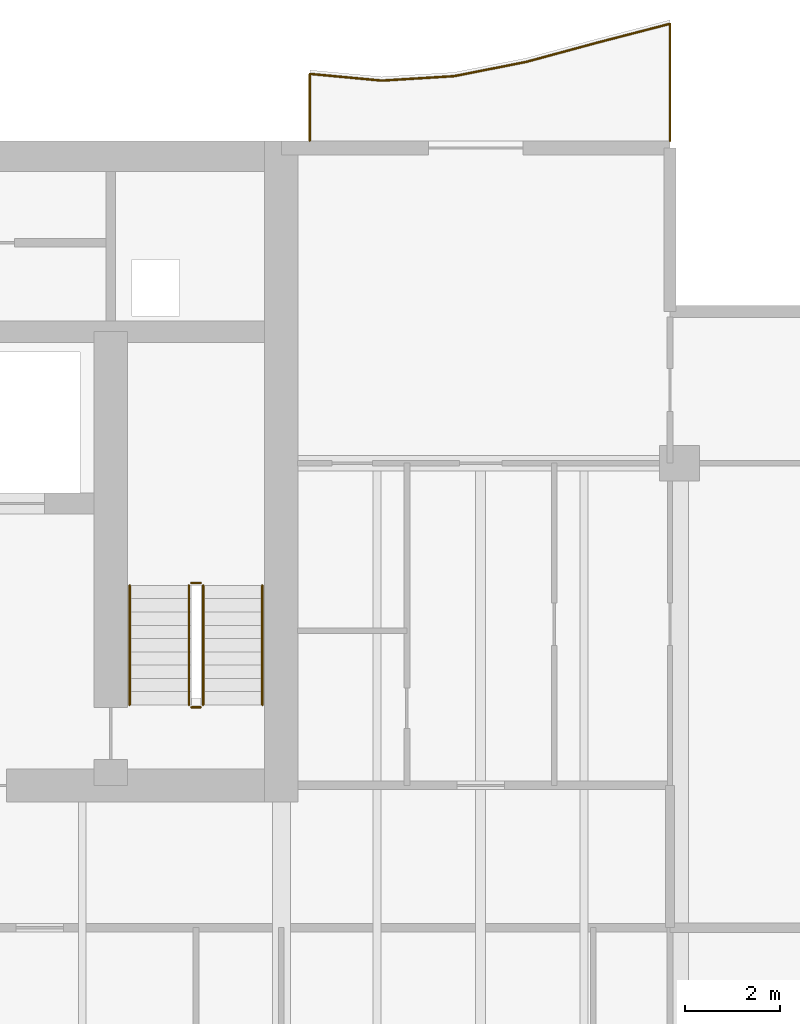
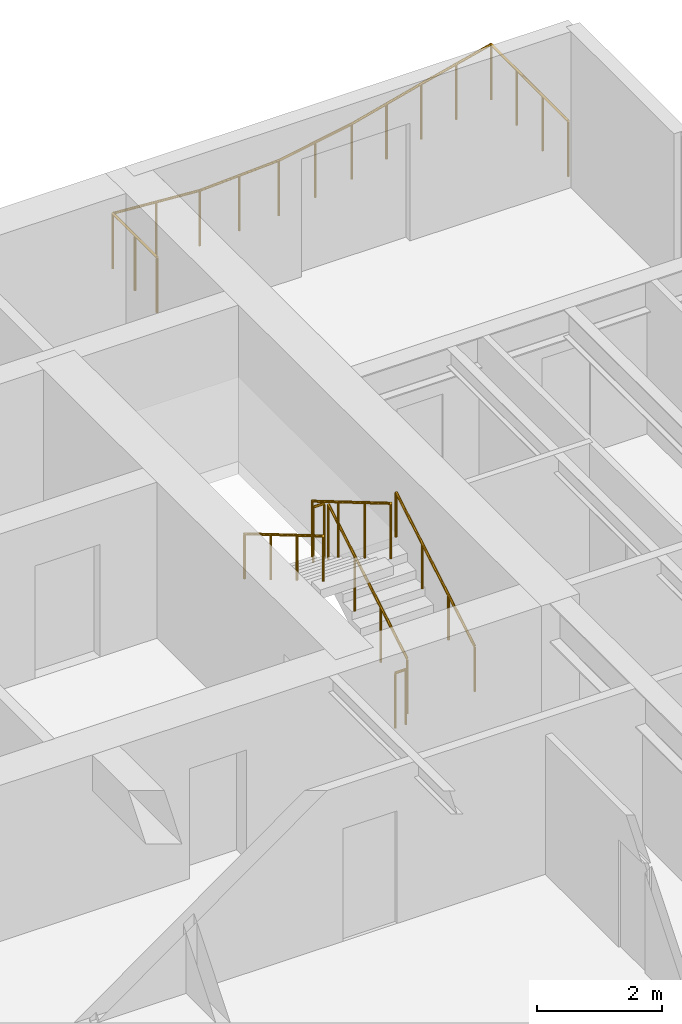
# One storey, part 16 of 17: 7 railings.
"""IFC4 building model written with IfcOpenShell, lengths in metres."""

import ifcopenshell
import ifcopenshell.guid

model = None  # the IFC model being written
_history = None  # IfcOwnerHistory: only IFC2X3 demands one
_inside = {}  # id of a spatial element -> (the spatial element, [elements in it])
_under = {}  # id of a project, library or spatial element -> (it, [spatial elements below it])
_declared = {}  # id of a project -> (the project, [libraries it declares])
_typed = {}  # id of a type object -> (the type object, [elements of that type])
_made_of = {}  # id of a material, layer set ... -> (it, [elements and type objects made of it])


def new_model(schema):
    """Start an empty IFC model of exactly this schema.

    Asked for "IFC4X3", IfcOpenShell would pick the latest addendum, in which some entities
    have other attributes; the version numbers below select the first issue.
    IFC2X3 requires an IfcOwnerHistory on every rooted entity: one is made here for all.
    """
    global model, _history
    if schema == "IFC4X3":
        model = ifcopenshell.file(schema_version=(4, 3, 0, 0))
    else:
        model = ifcopenshell.file(schema=schema)
    _inside.clear()
    _under.clear()
    _declared.clear()
    _typed.clear()
    _made_of.clear()
    _history = None
    if model.schema == "IFC2X3":
        org = make("IfcOrganization", Name="unknown")
        user = make(
            "IfcPersonAndOrganization",
            ThePerson=make("IfcPerson", FamilyName="unknown"),
            TheOrganization=org,
        )
        app = make(
            "IfcApplication",
            ApplicationDeveloper=org,
            Version="unknown",
            ApplicationFullName="unknown",
            ApplicationIdentifier="unknown",
        )
        _history = make(
            "IfcOwnerHistory",
            OwningUser=user,
            OwningApplication=app,
            ChangeAction="ADDED",
            CreationDate=0,
        )
    return model


def make(cls, **values):
    """One entity of the class cls with the attributes given. An attribute that is None is left unset."""
    return model.create_entity(
        cls, **{name: value for name, value in values.items() if value is not None}
    )


def rooted(cls, **values):
    """An entity with a GlobalId (a new one), such as an element, a storey or a relation."""
    return make(cls, GlobalId=ifcopenshell.guid.new(), OwnerHistory=_history, **values)


def si_unit(unit_type, name, prefix=None):
    """IfcSIUnit, for example si_unit("LENGTHUNIT", "METRE", prefix="MILLI")."""
    return make("IfcSIUnit", UnitType=unit_type, Prefix=prefix, Name=name)


def assignment(units):
    """IfcUnitAssignment: the units of a project."""
    return None if units is None else make("IfcUnitAssignment", Units=units)


def point(xyz):
    """IfcCartesianPoint."""
    return None if xyz is None else make("IfcCartesianPoint", Coordinates=xyz)


def direction(xyz):
    """IfcDirection."""
    return None if xyz is None else make("IfcDirection", DirectionRatios=xyz)


def frame(location, z_axis=None, x_axis=None):
    """IfcAxis2Placement3D, a coordinate frame: its origin and axes. An axis left out is left unset."""
    return make(
        "IfcAxis2Placement3D",
        Location=point(location),
        Axis=direction(z_axis),
        RefDirection=direction(x_axis),
    )


def frame_2d(location, x_axis=None):
    """IfcAxis2Placement2D, a coordinate frame in the plane: its origin and x axis."""
    return make(
        "IfcAxis2Placement2D", Location=point(location), RefDirection=direction(x_axis)
    )


def origin():
    """The frame at (0, 0, 0) with its axes left unset."""
    return frame((0.0, 0.0, 0.0))


def origin_2d():
    """The frame at (0, 0) in the plane with its x axis left unset."""
    return frame_2d((0.0, 0.0))


def place(relative_to, where):
    """IfcLocalPlacement: puts the frame where relative to a parent placement (None: the world)."""
    return make(
        "IfcLocalPlacement", PlacementRelTo=relative_to, RelativePlacement=where
    )


def context(
    kind, dimensions, precision=None, world=None, true_north=None, identifier=None
):
    """IfcGeometricRepresentationContext, for example the 3D "Model" context."""
    return make(
        "IfcGeometricRepresentationContext",
        ContextIdentifier=identifier,
        ContextType=kind,
        CoordinateSpaceDimension=dimensions,
        Precision=precision,
        WorldCoordinateSystem=world,
        TrueNorth=true_north,
    )


def subcontext(parent, identifier, kind, view, scale=None):
    """IfcGeometricRepresentationSubContext, for example "Body" below "Model"."""
    return make(
        "IfcGeometricRepresentationSubContext",
        ContextIdentifier=identifier,
        ContextType=kind,
        ParentContext=parent,
        TargetScale=scale,
        TargetView=view,
    )


def project(units=None, contexts=None):
    """IfcProject with its units and contexts."""
    return rooted(
        "IfcProject",
        Name="project",
        RepresentationContexts=contexts,
        UnitsInContext=assignment(units),
    )


def spatial(cls, under=None, at=None, **own):
    """A site, building, storey or space (cls), placed at a placement, below another one or the project."""
    s = rooted(cls, ObjectPlacement=at, **own)
    if under is not None:
        _under.setdefault(under.id(), (under, []))[1].append(s)
    return s


def profile(cls, at=None, kind="AREA", **sizes):
    """A parametric profile (cls). Its sizes go by their IFC names, for example OverallWidth=200.0."""
    return make(cls, ProfileType=kind, Position=at, **sizes)


def circle(**sizes):
    """IfcCircleProfileDef."""
    return profile("IfcCircleProfileDef", **sizes)


def extrude(swept, where, along, depth):
    """IfcExtrudedAreaSolid: the profile swept, set in the frame where, extruded along a direction by depth."""
    return make(
        "IfcExtrudedAreaSolid",
        SweptArea=swept,
        Position=where,
        ExtrudedDirection=direction(along),
        Depth=depth,
    )


def shape(context_of_items, identifier, shape_type, items):
    """IfcShapeRepresentation: the items that make up one representation, for example the "Body"."""
    return make(
        "IfcShapeRepresentation",
        ContextOfItems=context_of_items,
        RepresentationIdentifier=identifier,
        RepresentationType=shape_type,
        Items=items,
    )


def material(Name=None, Category=None):
    """IfcMaterial."""
    return make("IfcMaterial", Name=Name, Category=Category)


def made_of(thing, what):
    """Note that an element or type object is made of a material, layer set ...; save() writes the relation."""
    if what is not None:
        _made_of.setdefault(what.id(), (what, []))[1].append(thing)
    return thing


def type_object(cls, material=None, **own):
    """A type object (cls), such as IfcWallType, which elements share."""
    return made_of(rooted(cls, **own), material)


def element(
    cls,
    number,
    at=None,
    inside=None,
    cuts=None,
    type_object=None,
    material=None,
    context=None,
    identifier="Body",
    shape_type=None,
    held_by="IfcProductDefinitionShape",
    body=None,
    shapes=None,
    **own,
):
    """One element of the class cls, such as IfcWall. Its Tag is "e" and its number.

    at: its placement. inside: the storey or other place that contains it. cuts: it is an
    opening in that element (IfcRelVoidsElement). A single representation is given by context,
    identifier, shape_type and body (its items); several are given by shapes. held_by: the class
    of the entity that holds the representations. save() writes the other relations.
    """
    e = rooted(cls, Tag="e%d" % number, ObjectPlacement=at, **own)
    if body is not None:
        shapes = [shape(context, identifier, shape_type, body)]
    if shapes is not None:
        e.Representation = make(held_by, Representations=shapes)
    if inside is not None:
        _inside.setdefault(inside.id(), (inside, []))[1].append(e)
    if cuts is not None:
        rooted(
            "IfcRelVoidsElement", RelatingBuildingElement=cuts, RelatedOpeningElement=e
        )
    if type_object is not None:
        _typed.setdefault(type_object.id(), (type_object, []))[1].append(e)
    return made_of(e, material)


def aggregate(whole, parts):
    """IfcRelAggregates: a whole, such as a stair, and the parts it consists of."""
    return rooted("IfcRelAggregates", RelatingObject=whole, RelatedObjects=parts)


def save(model, path):
    """Write the relations noted so far, then the file.

    IfcRelAggregates (storeys below a building ...), IfcRelContainedInSpatialStructure (elements
    in a storey), IfcRelDefinesByType, IfcRelAssociatesMaterial and IfcRelDeclares: one each for
    every whole, place, type object, material and project.
    """
    for whole, parts in _under.values():
        aggregate(whole, parts)
    for where, things in _inside.values():
        rooted(
            "IfcRelContainedInSpatialStructure",
            RelatedElements=things,
            RelatingStructure=where,
        )
    for kind, things in _typed.values():
        rooted("IfcRelDefinesByType", RelatedObjects=things, RelatingType=kind)
    for what, things in _made_of.values():
        rooted("IfcRelAssociatesMaterial", RelatedObjects=things, RelatingMaterial=what)
    for by, libraries in _declared.values():
        rooted("IfcRelDeclares", RelatingContext=by, RelatedDefinitions=libraries)
    model.write(path)


model = new_model("IFC4")

# Units and contexts
model_context = context("Model", 3, precision=1e-05, world=origin(), true_north=direction((0.0, 1.0)))
body_context = subcontext(model_context, "Body", "Model", "MODEL_VIEW")
ifc_project = project(units=[si_unit("LENGTHUNIT", "METRE"), si_unit("AREAUNIT", "SQUARE_METRE"), si_unit("VOLUMEUNIT", "CUBIC_METRE"), si_unit("PLANEANGLEUNIT", "RADIAN"), si_unit("MASSUNIT", "GRAM", prefix="KILO")], contexts=[model_context])

# Site, building, storey
site_placement = place(None, origin())
site = spatial("IfcSite", under=ifc_project, at=site_placement, CompositionType="ELEMENT")
building_placement = place(site_placement, origin())
building = spatial("IfcBuilding", under=site, at=building_placement, Name="Caelmar Bay Residences", CompositionType="ELEMENT")
storey_placement = place(building_placement, frame((0.0, 0.0, 204.89990234375)))
storey = spatial("IfcBuildingStorey", under=building, at=storey_placement, Name="L57", CompositionType="ELEMENT", Elevation=204.89990234375)

# Railings
ifc_material_1 = material(Name="Anodised bronze handrail with laminated hurricane glass infill", Category="glass")
railing_type_1 = type_object("IfcRailingType", Name="RL-BAL-1100", PredefinedType="BALUSTRADE", material=ifc_material_1)
railing_1_placement = place(storey_placement, frame((67.699951171875, 50.60009765625, 0.0)))
element("IfcRailing", 1, at=railing_1_placement, inside=storey, type_object=railing_type_1, Name="L57 north_east Balcony Balustrade", PredefinedType="BALUSTRADE", context=body_context, shape_type="SweptSolid", body=[
    extrude(circle(Radius=0.02392578125, at=origin_2d()), frame((0.0, 0.0, 1.076171875), z_axis=(0.0, 1.0, 0.0), x_axis=(-1.0, 0.0, 0.0)), (0.0, 0.0, 1.0), 2.4697265625),
    extrude(circle(Radius=0.02392578125, at=origin_2d()), frame((0.0, 2.4697265625, 1.076171875), z_axis=(-0.968040251218, -0.250794880375, 0.0), x_axis=(0.250794880375, -0.968040251218, 0.0)), (0.0, 0.0, 1.0), 1.5703125),
    extrude(circle(Radius=0.02392578125, at=origin_2d()), frame((-1.52001953125, 2.075927734375, 1.076171875), z_axis=(-0.965273626461, -0.261240934884, 0.0), x_axis=(0.261240934884, -0.965273626461, 0.0)), (0.0, 0.0, 1.0), 1.57470703125),
    extrude(circle(Radius=0.02392578125, at=origin_2d()), frame((-3.0400390625, 1.66455078125, 1.076171875), z_axis=(-0.981098441437, -0.193509297476, 0.0), x_axis=(0.193509297476, -0.981098441437, 0.0)), (0.0, 0.0, 1.0), 1.54931640625),
    extrude(circle(Radius=0.02392578125, at=origin_2d()), frame((-4.56005859375, 1.36474609375, 1.076171875), z_axis=(-0.998112625987, -0.061409981647, 0.0), x_axis=(0.061409981647, -0.998112625987, 0.0)), (0.0, 0.0, 1.0), 1.522705078125),
    extrude(circle(Radius=0.02392578125, at=origin_2d()), frame((-6.079833984375, 1.271240234375, 1.076171875), z_axis=(-0.995674076689, 0.092914654442, 0.0), x_axis=(-0.092914654442, -0.995674076689, 0.0)), (0.0, 0.0, 1.0), 1.526611328125),
    extrude(circle(Radius=0.02392578125, at=origin_2d()), frame((-7.599853515625, 1.4130859375, 1.076171875), z_axis=(0.0, -1.0, 0.0), x_axis=(1.0, 0.0, 0.0)), (0.0, 0.0, 1.0), 1.4130859375),
    extrude(circle(Radius=0.02099609375, at=origin_2d()), origin(), (0.0, 0.0, 1.0), 1.052001953125),
    extrude(circle(Radius=0.02099609375, at=origin_2d()), frame((0.0, 0.8232421875, 0.0)), (0.0, 0.0, 1.0), 1.052001953125),
    extrude(circle(Radius=0.02099609375, at=origin_2d()), frame((0.0, 1.646484375, 0.0)), (0.0, 0.0, 1.0), 1.052001953125),
    extrude(circle(Radius=0.02099609375, at=origin_2d()), frame((0.0, 2.4697265625, 0.0)), (0.0, 0.0, 1.0), 1.052001953125),
    extrude(circle(Radius=0.02099609375, at=origin_2d()), frame((-0.760009765625, 2.27294921875, 0.0)), (0.0, 0.0, 1.0), 1.052001953125),
    extrude(circle(Radius=0.02099609375, at=origin_2d()), frame((-1.52001953125, 2.075927734375, 0.0)), (0.0, 0.0, 1.0), 1.052001953125),
    extrude(circle(Radius=0.02099609375, at=origin_2d()), frame((-2.280029296875, 1.8701171875, 0.0)), (0.0, 0.0, 1.0), 1.052001953125),
    extrude(circle(Radius=0.02099609375, at=origin_2d()), frame((-3.0400390625, 1.66455078125, 0.0)), (0.0, 0.0, 1.0), 1.052001953125),
    extrude(circle(Radius=0.02099609375, at=origin_2d()), frame((-3.800048828125, 1.5146484375, 0.0)), (0.0, 0.0, 1.0), 1.052001953125),
    extrude(circle(Radius=0.02099609375, at=origin_2d()), frame((-4.56005859375, 1.36474609375, 0.0)), (0.0, 0.0, 1.0), 1.052001953125),
    extrude(circle(Radius=0.02099609375, at=origin_2d()), frame((-5.31982421875, 1.31787109375, 0.0)), (0.0, 0.0, 1.0), 1.052001953125),
    extrude(circle(Radius=0.02099609375, at=origin_2d()), frame((-6.079833984375, 1.271240234375, 0.0)), (0.0, 0.0, 1.0), 1.052001953125),
    extrude(circle(Radius=0.02099609375, at=origin_2d()), frame((-6.83984375, 1.34228515625, 0.0)), (0.0, 0.0, 1.0), 1.052001953125),
    extrude(circle(Radius=0.02099609375, at=origin_2d()), frame((-7.599853515625, 1.4130859375, 0.0)), (0.0, 0.0, 1.0), 1.052001953125),
    extrude(circle(Radius=0.02099609375, at=origin_2d()), frame((-7.599853515625, 0.70654296875, 0.0)), (0.0, 0.0, 1.0), 1.052001953125),
    extrude(circle(Radius=0.02099609375, at=origin_2d()), frame((-7.599853515625, 0.0, 0.0)), (0.0, 0.0, 1.0), 1.052001953125),
])
ifc_material_2 = material(Name="Painted galvanized steel stair guard 1100 mm", Category="steel")
railing_type_2 = type_object("IfcRailingType", Name="RL-GRD-1100", PredefinedType="GUARDRAIL", material=ifc_material_2)
railing_2_placement = place(storey_placement, frame((57.85009765625, 38.699951171875, 0.1650390625)))
element("IfcRailing", 2, at=railing_2_placement, inside=storey, type_object=railing_type_2, Name="L57 ST2 stair guard 1", PredefinedType="GUARDRAIL", context=body_context, shape_type="SweptSolid", body=[
    extrude(circle(Radius=0.02392578125, at=origin_2d()), frame((0.0, 0.0, 1.076171875), z_axis=(0.0, 0.86152411907, 0.507716645641), x_axis=(-1.0, 0.0, 0.0)), (0.0, 0.0, 1.0), 2.925048828125),
    extrude(circle(Radius=0.02099609375, at=origin_2d()), origin(), (0.0, 0.0, 1.0), 1.052001953125),
    extrude(circle(Radius=0.02099609375, at=origin_2d()), frame((0.0, 0.840087890625, 0.4951171875)), (0.0, 0.0, 1.0), 1.052001953125),
    extrude(circle(Radius=0.02099609375, at=origin_2d()), frame((0.0, 1.679931640625, 0.989990234375)), (0.0, 0.0, 1.0), 1.052001953125),
    extrude(circle(Radius=0.02099609375, at=origin_2d()), frame((0.0, 2.52001953125, 1.485107421875)), (0.0, 0.0, 1.0), 1.052001953125),
])
railing_3_placement = place(storey_placement, frame((57.800048828125, 41.27001953125, 1.650146484375)))
element("IfcRailing", 3, at=railing_3_placement, inside=storey, type_object=railing_type_2, Name="L57 ST2 stair guard 2", PredefinedType="GUARDRAIL", context=body_context, shape_type="SweptSolid", body=[
    extrude(circle(Radius=0.02392578125, at=origin_2d()), frame((0.0, 0.0, 1.076171875), z_axis=(-1.0, 0.0, 0.0), x_axis=(0.0, -1.0, 0.0)), (0.0, 0.0, 1.0), 0.199951171875),
    extrude(circle(Radius=0.02099609375, at=origin_2d()), origin(), (0.0, 0.0, 1.0), 1.052001953125),
    extrude(circle(Radius=0.02099609375, at=origin_2d()), frame((-0.199951171875, 0.0, 0.0)), (0.0, 0.0, 1.0), 1.052001953125),
])
railing_4_placement = place(storey_placement, frame((57.550048828125, 41.219970703125, 1.815185546875)))
element("IfcRailing", 4, at=railing_4_placement, inside=storey, type_object=railing_type_2, Name="L57 ST2 stair guard 3", PredefinedType="GUARDRAIL", context=body_context, shape_type="SweptSolid", body=[
    extrude(circle(Radius=0.02392578125, at=origin_2d()), frame((0.0, 0.0, 1.076171875), z_axis=(0.0, -0.861560626758, 0.507654692109), x_axis=(1.0, 0.0, 0.0)), (0.0, 0.0, 1.0), 2.925048828125),
    extrude(circle(Radius=0.02099609375, at=origin_2d()), origin(), (0.0, 0.0, 1.0), 1.052001953125),
    extrude(circle(Radius=0.02099609375, at=origin_2d()), frame((0.0, -0.840087890625, 0.494873046875)), (0.0, 0.0, 1.0), 1.052001953125),
    extrude(circle(Radius=0.02099609375, at=origin_2d()), frame((0.0, -1.679931640625, 0.989990234375)), (0.0, 0.0, 1.0), 1.052001953125),
    extrude(circle(Radius=0.02099609375, at=origin_2d()), frame((0.0, -2.52001953125, 1.48486328125)), (0.0, 0.0, 1.0), 1.052001953125),
])
railing_5_placement = place(storey_placement, frame((57.800048828125, 38.64990234375, 0.0)))
element("IfcRailing", 5, at=railing_5_placement, inside=storey, type_object=railing_type_2, Name="L57 ST2 stair guard 4", PredefinedType="GUARDRAIL", context=body_context, shape_type="SweptSolid", body=[
    extrude(circle(Radius=0.02392578125, at=origin_2d()), frame((0.0, 0.0, 1.076171875), z_axis=(-1.0, 0.0, 0.0), x_axis=(0.0, -1.0, 0.0)), (0.0, 0.0, 1.0), 0.199951171875),
    extrude(circle(Radius=0.02099609375, at=origin_2d()), origin(), (0.0, 0.0, 1.0), 1.052001953125),
    extrude(circle(Radius=0.02099609375, at=origin_2d()), frame((-0.199951171875, 0.0, 0.0)), (0.0, 0.0, 1.0), 1.052001953125),
])
ifc_material_3 = material(Name="Brushed bronze stainless-steel tubular handrail 900 mm", Category="steel")
railing_type_3 = type_object("IfcRailingType", Name="RL-HND-900", PredefinedType="HANDRAIL", material=ifc_material_3)
railing_6_placement = place(storey_placement, frame((59.10009765625, 38.699951171875, 0.1650390625)))
element("IfcRailing", 6, at=railing_6_placement, inside=storey, type_object=railing_type_3, Name="L57 ST2 stair handrail 1", PredefinedType="HANDRAIL", context=body_context, shape_type="SweptSolid", body=[
    extrude(circle(Radius=0.02392578125, at=origin_2d()), frame((0.0, 0.0, 0.8759765625), z_axis=(0.0, 0.86152411907, 0.507716645641), x_axis=(-1.0, 0.0, 0.0)), (0.0, 0.0, 1.0), 2.925048828125),
    extrude(circle(Radius=0.02099609375, at=origin_2d()), origin(), (0.0, 0.0, 1.0), 0.851806640625),
    extrude(circle(Radius=0.02099609375, at=origin_2d()), frame((0.0, 0.840087890625, 0.4951171875)), (0.0, 0.0, 1.0), 0.851806640625),
    extrude(circle(Radius=0.02099609375, at=origin_2d()), frame((0.0, 1.679931640625, 0.989990234375)), (0.0, 0.0, 1.0), 0.851806640625),
    extrude(circle(Radius=0.02099609375, at=origin_2d()), frame((0.0, 2.52001953125, 1.485107421875)), (0.0, 0.0, 1.0), 0.851806640625),
])
railing_7_placement = place(storey_placement, frame((56.300048828125, 41.219970703125, 1.815185546875)))
element("IfcRailing", 7, at=railing_7_placement, inside=storey, type_object=railing_type_3, Name="L57 ST2 stair handrail 2", PredefinedType="HANDRAIL", context=body_context, shape_type="SweptSolid", body=[
    extrude(circle(Radius=0.02392578125, at=origin_2d()), frame((0.0, 0.0, 0.8759765625), z_axis=(0.0, -0.861560626758, 0.507654692109), x_axis=(1.0, 0.0, 0.0)), (0.0, 0.0, 1.0), 2.925048828125),
    extrude(circle(Radius=0.02099609375, at=origin_2d()), origin(), (0.0, 0.0, 1.0), 0.851806640625),
    extrude(circle(Radius=0.02099609375, at=origin_2d()), frame((0.0, -0.840087890625, 0.494873046875)), (0.0, 0.0, 1.0), 0.851806640625),
    extrude(circle(Radius=0.02099609375, at=origin_2d()), frame((0.0, -1.679931640625, 0.989990234375)), (0.0, 0.0, 1.0), 0.851806640625),
    extrude(circle(Radius=0.02099609375, at=origin_2d()), frame((0.0, -2.52001953125, 1.48486328125)), (0.0, 0.0, 1.0), 0.851806640625),
])

save(model, "model.ifc")
